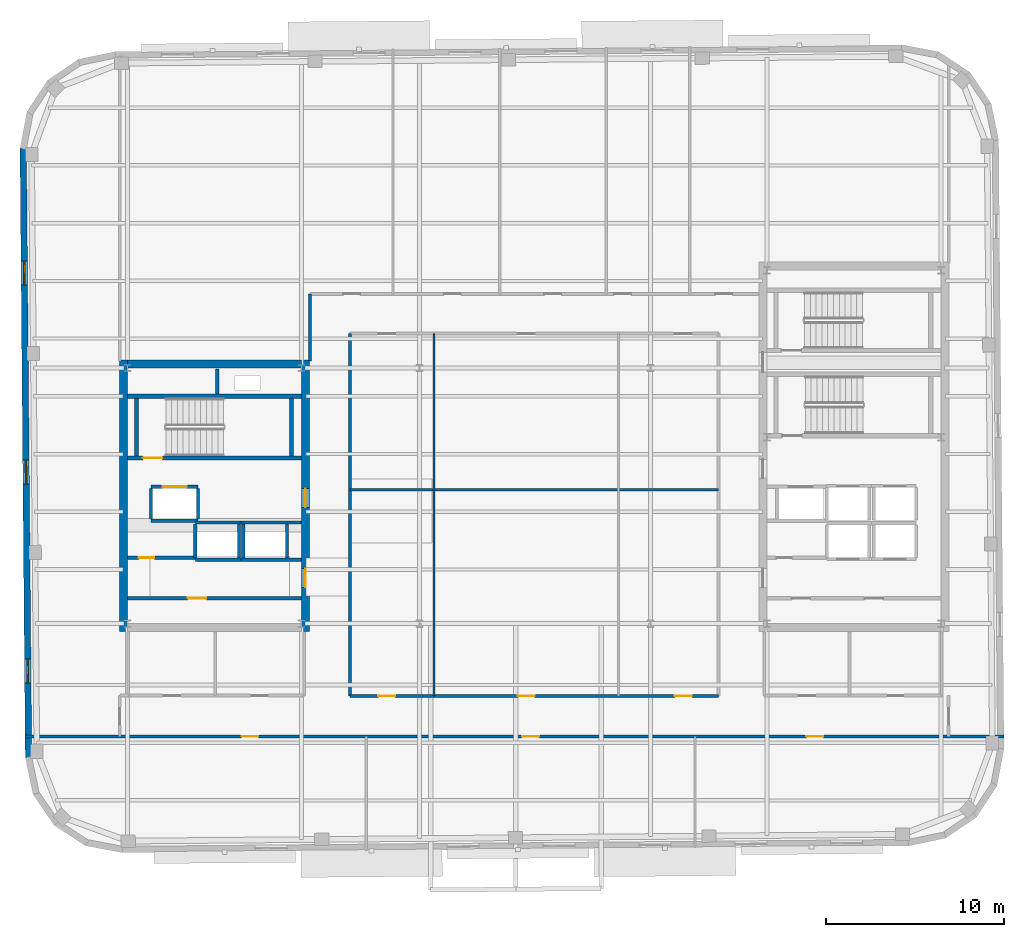
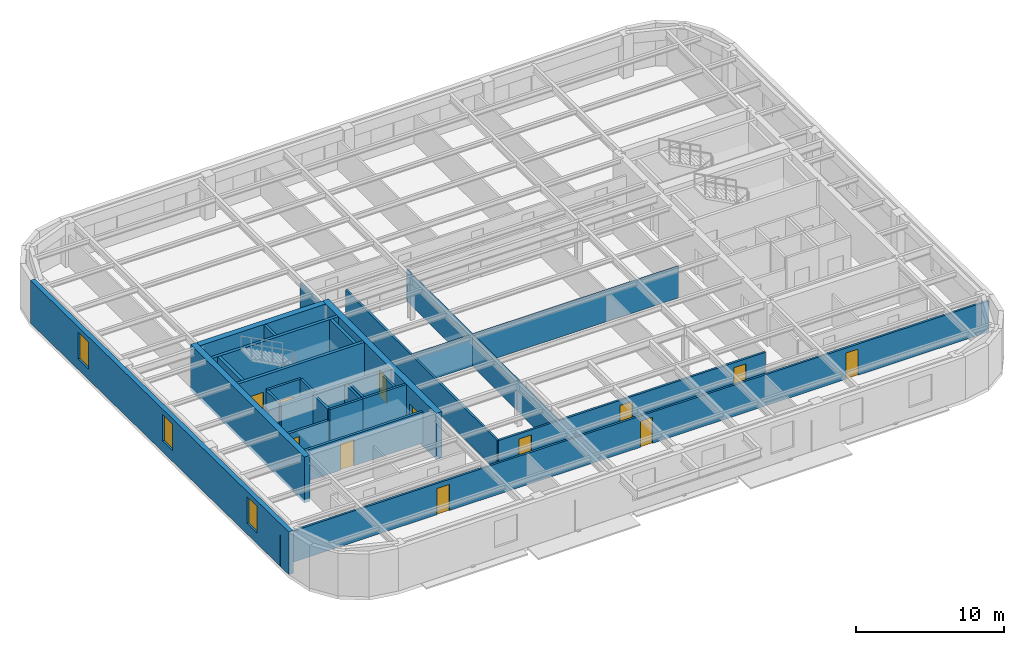
# One storey, part 7 of 14: 29 walls, 12 doors, 3 windows, 15 openings.
"""IFC4 building model written with IfcOpenShell, lengths in metres."""

from ifc_helpers import new_model, si_unit, direction, frame, frame_2d, origin, place, context, subcontext, project, spatial, rectangle, extrude, material, layer, layer_set, type_object, element, fill, save


model = new_model("IFC4")

# Units and contexts
model_context = context("Model", 3, precision=1e-05, world=origin(), true_north=direction((0.0, 1.0)))
body_context = subcontext(model_context, "Body", "Model", "MODEL_VIEW")
ifc_project = project(units=[si_unit("LENGTHUNIT", "METRE"), si_unit("AREAUNIT", "SQUARE_METRE"), si_unit("VOLUMEUNIT", "CUBIC_METRE"), si_unit("PLANEANGLEUNIT", "RADIAN"), si_unit("MASSUNIT", "GRAM", prefix="KILO")], contexts=[model_context])

# Site, building, storey
site_placement = place(None, origin())
site = spatial("IfcSite", under=ifc_project, at=site_placement, CompositionType="ELEMENT")
building_placement = place(site_placement, origin())
building = spatial("IfcBuilding", under=site, at=building_placement, Name="Kolvaren Arena Tower", CompositionType="ELEMENT")
storey_placement = place(building_placement, frame((0.0, 0.0, 308.64990234375)))
storey = spatial("IfcBuildingStorey", under=building, at=storey_placement, Name="L76", CompositionType="ELEMENT", Elevation=308.64990234375)

# Wall, openings, doors
ifc_material_1 = material(Name="Gypsum board acoustic assembly", Category="gypsum")
ifc_layer_1 = layer(ifc_material_1, 0.159912109375)
ifc_layer_set_1 = layer_set([ifc_layer_1], Name="Gypsum board acoustic assembly")
wall_type_1 = type_object("IfcWallType", Name="CORR-160", PredefinedType="PARTITIONING", material=ifc_layer_set_1)
wall_1_placement = place(storey_placement, frame((8.790283203125, 13.10009765625, 0.0), z_axis=(0.0, 0.0, 1.0), x_axis=(1.0, 0.0, 0.0)))
wall_1 = element("IfcWall", 1, at=wall_1_placement, inside=storey, type_object=wall_type_1, Name="Interior Partition Wall (L76)", PredefinedType="PARTITIONING", context=body_context, shape_type="SweptSolid", body=[
    extrude(rectangle(XDim=55.10205078125, YDim=0.159912109375, at=frame_2d((27.551025390625, 0.0))), origin(), (0.0, 0.0, 1.0), 2.570068359375),
])
opening_1_placement = place(wall_1_placement, frame((12.184814453125, 0.0, 0.0)))
opening_1 = element("IfcOpeningElement", 2, at=opening_1_placement, cuts=wall_1, Name="Opening D05", PredefinedType="OPENING", context=body_context, shape_type="SweptSolid", body=[
    extrude(rectangle(XDim=0.949951171875, YDim=2.14990234375, at=frame_2d((0.47509765625, 1.074951171875))), frame((0.0, 0.08984375, 0.0), z_axis=(0.0, -1.0, 0.0), x_axis=(1.0, 0.0, 0.0)), (0.0, 0.0, 1.0), 0.179931640625),
])
opening_2_placement = place(wall_1_placement, frame((27.984619140625, 0.0, 0.0)))
opening_2 = element("IfcOpeningElement", 3, at=opening_2_placement, cuts=wall_1, Name="Opening D05", PredefinedType="OPENING", context=body_context, shape_type="SweptSolid", body=[
    extrude(rectangle(XDim=0.949951171875, YDim=2.14990234375, at=frame_2d((0.47509765625, 1.074951171875))), frame((0.0, 0.08984375, 0.0), z_axis=(0.0, -1.0, 0.0), x_axis=(1.0, 0.0, 0.0)), (0.0, 0.0, 1.0), 0.179931640625),
])
opening_3_placement = place(wall_1_placement, frame((43.984619140625, 0.0, 0.0)))
opening_3 = element("IfcOpeningElement", 4, at=opening_3_placement, cuts=wall_1, Name="Opening D05", PredefinedType="OPENING", context=body_context, shape_type="SweptSolid", body=[
    extrude(rectangle(XDim=0.949951171875, YDim=2.14990234375, at=frame_2d((0.47509765625, 1.074951171875))), frame((0.0, 0.08984375, 0.0), z_axis=(0.0, -1.0, 0.0), x_axis=(1.0, 0.0, 0.0)), (0.0, 0.0, 1.0), 0.179931640625),
])
ifc_material_2 = material(Name="Solid-core oak acoustic office door", Category="wood")
door_type_1 = type_object("IfcDoorType", Name="DOOR-OF-095", OperationType="NOTDEFINED", PredefinedType="DOOR", material=ifc_material_2)
door_1_placement = place(opening_1_placement, origin())
door_1 = element("IfcDoor", 5, at=door_1_placement, inside=storey, type_object=door_type_1, Name="Tenant Reception Area Door (L76)", OperationType="SINGLE_SWING_RIGHT", OverallHeight=2.14990234375, OverallWidth=0.949951171875, PredefinedType="DOOR", context=body_context, shape_type="SweptSolid", body=[
    extrude(rectangle(XDim=0.949951171875, YDim=2.14990234375, at=frame_2d((0.47509765625, 1.074951171875))), frame((0.0, 0.02490234375, 0.0), z_axis=(0.0, -1.0, 0.0), x_axis=(1.0, 0.0, 0.0)), (0.0, 0.0, 1.0), 0.050048828125),
])
fill(opening_1, door_1)
door_2_placement = place(opening_2_placement, origin())
door_2 = element("IfcDoor", 6, at=door_2_placement, inside=storey, type_object=door_type_1, Name="Executive Office Door (L76)", OperationType="SINGLE_SWING_LEFT", OverallHeight=2.14990234375, OverallWidth=0.949951171875, PredefinedType="DOOR", context=body_context, shape_type="SweptSolid", body=[
    extrude(rectangle(XDim=0.949951171875, YDim=2.14990234375, at=frame_2d((0.47509765625, 1.074951171875))), frame((0.0, 0.02490234375, 0.0), z_axis=(0.0, -1.0, 0.0), x_axis=(1.0, 0.0, 0.0)), (0.0, 0.0, 1.0), 0.050048828125),
])
fill(opening_2, door_2)
door_3_placement = place(opening_3_placement, origin())
door_3 = element("IfcDoor", 7, at=door_3_placement, inside=storey, type_object=door_type_1, Name="Open Plan Office Door (L76)", OperationType="SINGLE_SWING_RIGHT", OverallHeight=2.14990234375, OverallWidth=0.949951171875, PredefinedType="DOOR", context=body_context, shape_type="SweptSolid", body=[
    extrude(rectangle(XDim=0.949951171875, YDim=2.14990234375, at=frame_2d((0.47509765625, 1.074951171875))), frame((0.0, 0.02490234375, 0.0), z_axis=(0.0, -1.0, 0.0), x_axis=(1.0, 0.0, 0.0)), (0.0, 0.0, 1.0), 0.050048828125),
])
fill(opening_3, door_3)

# Wall
wall_2_placement = place(storey_placement, frame((24.820068359375, 34.25, 0.0), z_axis=(0.0, 0.0, 1.0), x_axis=(0.0, 1.0, 0.0)))
element("IfcWall", 8, at=wall_2_placement, inside=storey, type_object=wall_type_1, Name="Interior Partition Wall (L76)", PredefinedType="PARTITIONING", context=body_context, shape_type="SweptSolid", body=[
    extrude(rectangle(XDim=3.77001953125, YDim=0.159912109375, at=frame_2d((1.885009765625, 0.0))), origin(), (0.0, 0.0, 1.0), 2.570068359375),
])

# Wall, openings, doors
wall_3_placement = place(storey_placement, frame((27.080078125, 15.3798828125, 0.0), z_axis=(0.0, 0.0, 1.0), x_axis=(1.0, 0.0, 0.0)))
wall_3 = element("IfcWall", 9, at=wall_3_placement, inside=storey, type_object=wall_type_1, Name="Interior Partition Wall (L76)", PredefinedType="PARTITIONING", context=body_context, shape_type="SweptSolid", body=[
    extrude(rectangle(XDim=20.739990234375, YDim=0.159912109375, at=frame_2d((10.3701171875, 0.0))), origin(), (0.0, 0.0, 1.0), 2.570068359375),
])
opening_4_placement = place(wall_3_placement, frame((1.594970703125, 0.0, 0.0)))
opening_4 = element("IfcOpeningElement", 10, at=opening_4_placement, cuts=wall_3, Name="Opening D05", PredefinedType="OPENING", context=body_context, shape_type="SweptSolid", body=[
    extrude(rectangle(XDim=0.949951171875, YDim=2.14990234375, at=frame_2d((0.47509765625, 1.074951171875))), frame((0.0, 0.08984375, 0.0), z_axis=(0.0, -1.0, 0.0), x_axis=(1.0, 0.0, 0.0)), (0.0, 0.0, 1.0), 0.179931640625),
])
opening_5_placement = place(wall_3_placement, frame((9.445068359375, 0.0, 0.0)))
opening_5 = element("IfcOpeningElement", 11, at=opening_5_placement, cuts=wall_3, Name="Opening D05", PredefinedType="OPENING", context=body_context, shape_type="SweptSolid", body=[
    extrude(rectangle(XDim=0.949951171875, YDim=2.14990234375, at=frame_2d((0.47509765625, 1.074951171875))), frame((0.0, 0.08984375, 0.0), z_axis=(0.0, -1.0, 0.0), x_axis=(1.0, 0.0, 0.0)), (0.0, 0.0, 1.0), 0.179931640625),
])
opening_6_placement = place(wall_3_placement, frame((18.294921875, 0.0, 0.0)))
opening_6 = element("IfcOpeningElement", 12, at=opening_6_placement, cuts=wall_3, Name="Opening D05", PredefinedType="OPENING", context=body_context, shape_type="SweptSolid", body=[
    extrude(rectangle(XDim=0.949951171875, YDim=2.14990234375, at=frame_2d((0.47509765625, 1.074951171875))), frame((0.0, 0.08984375, 0.0), z_axis=(0.0, -1.0, 0.0), x_axis=(1.0, 0.0, 0.0)), (0.0, 0.0, 1.0), 0.179931640625),
])
door_4_placement = place(opening_4_placement, origin())
door_4 = element("IfcDoor", 13, at=door_4_placement, inside=storey, type_object=door_type_1, Name="Copy and Print Room Door (L76)", OperationType="SINGLE_SWING_LEFT", OverallHeight=2.14990234375, OverallWidth=0.949951171875, PredefinedType="DOOR", context=body_context, shape_type="SweptSolid", body=[
    extrude(rectangle(XDim=0.949951171875, YDim=2.14990234375, at=frame_2d((0.47509765625, 1.074951171875))), frame((0.0, 0.02490234375, 0.0), z_axis=(0.0, -1.0, 0.0), x_axis=(1.0, 0.0, 0.0)), (0.0, 0.0, 1.0), 0.050048828125),
])
fill(opening_4, door_4)
door_5_placement = place(opening_5_placement, origin())
door_5 = element("IfcDoor", 14, at=door_5_placement, inside=storey, type_object=door_type_1, Name="Breakout Pantry and Kitchen Door (L76)", OperationType="SINGLE_SWING_LEFT", OverallHeight=2.14990234375, OverallWidth=0.949951171875, PredefinedType="DOOR", context=body_context, shape_type="SweptSolid", body=[
    extrude(rectangle(XDim=0.949951171875, YDim=2.14990234375, at=frame_2d((0.47509765625, 1.074951171875))), frame((0.0, 0.02490234375, 0.0), z_axis=(0.0, -1.0, 0.0), x_axis=(1.0, 0.0, 0.0)), (0.0, 0.0, 1.0), 0.050048828125),
])
fill(opening_5, door_5)
door_6_placement = place(opening_6_placement, origin())
door_6 = element("IfcDoor", 15, at=door_6_placement, inside=storey, type_object=door_type_1, Name="Executive Office Door (L76)", OperationType="SINGLE_SWING_LEFT", OverallHeight=2.14990234375, OverallWidth=0.949951171875, PredefinedType="DOOR", context=body_context, shape_type="SweptSolid", body=[
    extrude(rectangle(XDim=0.949951171875, YDim=2.14990234375, at=frame_2d((0.47509765625, 1.074951171875))), frame((0.0, 0.02490234375, 0.0), z_axis=(0.0, -1.0, 0.0), x_axis=(1.0, 0.0, 0.0)), (0.0, 0.0, 1.0), 0.050048828125),
])
fill(opening_6, door_6)

# Walls
wall_4_placement = place(storey_placement, frame((27.080078125, 15.3798828125, 0.0), z_axis=(0.0, 0.0, 1.0), x_axis=(0.0, 1.0, 0.0)))
element("IfcWall", 16, at=wall_4_placement, inside=storey, type_object=wall_type_1, Name="Interior Partition Wall (L76)", PredefinedType="PARTITIONING", context=body_context, shape_type="SweptSolid", body=[
    extrude(rectangle(XDim=20.400146484375, YDim=0.159912109375, at=frame_2d((10.2001953125, 0.0))), origin(), (0.0, 0.0, 1.0), 2.570068359375),
])
ifc_material_3 = material(Name="Concrete 55 MPa", Category="concrete")
ifc_layer_2 = layer(ifc_material_3, 0.449951171875)
ifc_layer_set_2 = layer_set([ifc_layer_2], Name="Concrete 55 MPa")
wall_type_2 = type_object("IfcWallType", Name="CWALL-450", PredefinedType="SHEAR", material=ifc_layer_set_2)
wall_5_placement = place(storey_placement, frame((14.324951171875, 19.0, -0.27001953125), z_axis=(0.0, 0.0, 1.0), x_axis=(0.0, 1.0, 0.0)))
element("IfcWall", 17, at=wall_5_placement, inside=storey, type_object=wall_type_2, Name="Core Shear Wall WC-WEST (L76)", PredefinedType="SHEAR", context=body_context, shape_type="SweptSolid", body=[
    extrude(rectangle(XDim=15.300048828125, YDim=0.449951171875, at=frame_2d((7.64990234375, 0.0))), origin(), (0.0, 0.0, 1.0), 3.780029296875),
])

# Wall, openings, doors
wall_6_placement = place(storey_placement, frame((24.574951171875, 19.0, -0.27001953125), z_axis=(0.0, 0.0, 1.0), x_axis=(0.0, 1.0, 0.0)))
wall_6 = element("IfcWall", 18, at=wall_6_placement, inside=storey, type_object=wall_type_2, Name="Core Shear Wall WC-EAST (L76)", PredefinedType="SHEAR", context=body_context, shape_type="SweptSolid", body=[
    extrude(rectangle(XDim=15.300048828125, YDim=0.449951171875, at=frame_2d((7.64990234375, 0.0))), origin(), (0.0, 0.0, 1.0), 3.780029296875),
])
opening_7_placement = place(wall_6_placement, frame((2.5, 0.0, 0.27001953125)))
opening_7 = element("IfcOpeningElement", 19, at=opening_7_placement, cuts=wall_6, Name="Opening D04", PredefinedType="OPENING", context=body_context, shape_type="SweptSolid", body=[
    extrude(rectangle(XDim=1.050048828125, YDim=2.14990234375, at=frame_2d((0.52490234375, 1.074951171875))), frame((0.0, 0.23486328125, 0.0), z_axis=(0.0, -1.0, 0.0), x_axis=(1.0, 0.0, 0.0)), (0.0, 0.0, 1.0), 0.469970703125),
])
opening_8_placement = place(wall_6_placement, frame((7.0, 0.0, 0.27001953125)))
opening_8 = element("IfcOpeningElement", 20, at=opening_8_placement, cuts=wall_6, Name="Opening D04", PredefinedType="OPENING", context=body_context, shape_type="SweptSolid", body=[
    extrude(rectangle(XDim=1.050048828125, YDim=2.14990234375, at=frame_2d((0.52490234375, 1.074951171875))), frame((0.0, 0.23486328125, 0.0), z_axis=(0.0, -1.0, 0.0), x_axis=(1.0, 0.0, 0.0)), (0.0, 0.0, 1.0), 0.469970703125),
])
ifc_material_4 = material(Name="Fire-rated steel lobby door", Category="steel")
door_type_2 = type_object("IfcDoorType", Name="DOOR-FF-105", OperationType="NOTDEFINED", PredefinedType="DOOR", material=ifc_material_4)
door_7_placement = place(opening_7_placement, origin())
door_7 = element("IfcDoor", 21, at=door_7_placement, inside=storey, type_object=door_type_2, Name="West Lift Lobby Fire Door (L76)", OperationType="SINGLE_SWING_LEFT", OverallHeight=2.14990234375, OverallWidth=1.050048828125, PredefinedType="DOOR", context=body_context, shape_type="SweptSolid", body=[
    extrude(rectangle(XDim=1.050048828125, YDim=2.14990234375, at=frame_2d((0.52490234375, 1.074951171875))), frame((0.0, 0.02490234375, 0.0), z_axis=(0.0, -1.0, 0.0), x_axis=(1.0, 0.0, 0.0)), (0.0, 0.0, 1.0), 0.050048828125),
])
fill(opening_7, door_7)
door_8_placement = place(opening_8_placement, origin())
door_8 = element("IfcDoor", 22, at=door_8_placement, inside=storey, type_object=door_type_2, Name="West Firefighter Vestibule Door (L76)", OperationType="SINGLE_SWING_RIGHT", OverallHeight=2.14990234375, OverallWidth=1.050048828125, PredefinedType="DOOR", context=body_context, shape_type="SweptSolid", body=[
    extrude(rectangle(XDim=1.050048828125, YDim=2.14990234375, at=frame_2d((0.52490234375, 1.074951171875))), frame((0.0, 0.02490234375, 0.0), z_axis=(0.0, -1.0, 0.0), x_axis=(1.0, 0.0, 0.0)), (0.0, 0.0, 1.0), 0.050048828125),
])
fill(opening_8, door_8)

# Wall
wall_7_placement = place(storey_placement, frame((14.550048828125, 34.074951171875, -0.27001953125), z_axis=(0.0, 0.0, 1.0), x_axis=(1.0, 0.0, 0.0)))
element("IfcWall", 23, at=wall_7_placement, inside=storey, type_object=wall_type_2, Name="Core Shear Wall WC-NORTH (L76)", PredefinedType="SHEAR", context=body_context, shape_type="SweptSolid", body=[
    extrude(rectangle(XDim=9.800048828125, YDim=0.449951171875, at=frame_2d((4.89990234375, 0.0))), origin(), (0.0, 0.0, 1.0), 3.780029296875),
])

# Wall, openings, windows
ifc_material_5 = material(Name="Precast concrete C50/60", Category="concrete")
ifc_layer_3 = layer(ifc_material_5, 0.360107421875)
ifc_layer_set_3 = layer_set([ifc_layer_3], Name="Precast concrete C50/60")
wall_type_3 = type_object("IfcWallType", Name="EXT-PIER2", PredefinedType="SOLIDWALL", material=ifc_layer_set_3)
wall_8_placement = place(storey_placement, frame((8.980712890625, 11.911865234375, 0.0), z_axis=(0.0, 0.0, 1.0), x_axis=(-0.008726453825, 0.999961923777, 0.0)))
wall_8 = element("IfcWall", 24, at=wall_8_placement, inside=storey, type_object=wall_type_3, Name="Exterior Precast Masonry-Frame Wall (L76)", PredefinedType="SOLIDWALL", context=body_context, shape_type="SweptSolid", body=[
    extrude(rectangle(XDim=34.2998046875, YDim=0.360107421875, at=frame_2d((17.14990234375, 0.0))), origin(), (0.0, 0.0, 1.0), 3.510009765625),
])
opening_9_placement = place(wall_8_placement, frame((4.199951171875, 0.0, 0.8798828125)))
opening_9 = element("IfcOpeningElement", 25, at=opening_9_placement, cuts=wall_8, Name="Opening W04", PredefinedType="OPENING", context=body_context, shape_type="SweptSolid", body=[
    extrude(rectangle(XDim=1.35009765625, YDim=2.199951171875, at=frame_2d((0.675048828125, 1.10009765625))), frame((0.0, 0.18994140625, 0.0), z_axis=(0.0, -1.0, 0.0), x_axis=(1.0, 0.0, 0.0)), (0.0, 0.0, 1.0), 0.380126953125),
])
opening_10_placement = place(wall_8_placement, frame((15.39990234375, 0.0, 0.8798828125)))
opening_10 = element("IfcOpeningElement", 26, at=opening_10_placement, cuts=wall_8, Name="Opening W04", PredefinedType="OPENING", context=body_context, shape_type="SweptSolid", body=[
    extrude(rectangle(XDim=1.35009765625, YDim=2.199951171875, at=frame_2d((0.675048828125, 1.10009765625))), frame((0.0, 0.18994140625, 0.0), z_axis=(0.0, -1.0, 0.0), x_axis=(1.0, 0.0, 0.0)), (0.0, 0.0, 1.0), 0.380126953125),
])
opening_11_placement = place(wall_8_placement, frame((26.60009765625, 0.0, 0.8798828125)))
opening_11 = element("IfcOpeningElement", 27, at=opening_11_placement, cuts=wall_8, Name="Opening W04", PredefinedType="OPENING", context=body_context, shape_type="SweptSolid", body=[
    extrude(rectangle(XDim=1.35009765625, YDim=2.199951171875, at=frame_2d((0.675048828125, 1.10009765625))), frame((0.0, 0.18994140625, 0.0), z_axis=(0.0, -1.0, 0.0), x_axis=(1.0, 0.0, 0.0)), (0.0, 0.0, 1.0), 0.380126953125),
])
ifc_material_6 = material(Name="Triple-glazed curved-facet corner window", Category="glass")
window_type = type_object("IfcWindowType", Name="WIN-CRN-A", PartitioningType="SINGLE_PANEL", PredefinedType="WINDOW", material=ifc_material_6)
window_1_placement = place(opening_9_placement, origin())
window_1 = element("IfcWindow", 28, at=window_1_placement, inside=storey, type_object=window_type, Name="End-Wall Punched Window (L76)", OverallHeight=2.199951171875, OverallWidth=1.35009765625, PartitioningType="SINGLE_PANEL", PredefinedType="WINDOW", context=body_context, shape_type="SweptSolid", body=[
    extrude(rectangle(XDim=1.35009765625, YDim=2.199951171875, at=frame_2d((0.675048828125, 1.10009765625))), frame((0.0, 0.030029296875, 0.0), z_axis=(0.0, -1.0, 0.0), x_axis=(1.0, 0.0, 0.0)), (0.0, 0.0, 1.0), 0.06005859375),
])
fill(opening_9, window_1)
window_2_placement = place(opening_10_placement, origin())
window_2 = element("IfcWindow", 29, at=window_2_placement, inside=storey, type_object=window_type, Name="End-Wall Punched Window (L76)", OverallHeight=2.199951171875, OverallWidth=1.35009765625, PartitioningType="SINGLE_PANEL", PredefinedType="WINDOW", context=body_context, shape_type="SweptSolid", body=[
    extrude(rectangle(XDim=1.35009765625, YDim=2.199951171875, at=frame_2d((0.675048828125, 1.10009765625))), frame((0.0, 0.030029296875, 0.0), z_axis=(0.0, -1.0, 0.0), x_axis=(1.0, 0.0, 0.0)), (0.0, 0.0, 1.0), 0.06005859375),
])
fill(opening_10, window_2)
window_3_placement = place(opening_11_placement, origin())
window_3 = element("IfcWindow", 30, at=window_3_placement, inside=storey, type_object=window_type, Name="End-Wall Punched Window (L76)", OverallHeight=2.199951171875, OverallWidth=1.35009765625, PartitioningType="SINGLE_PANEL", PredefinedType="WINDOW", context=body_context, shape_type="SweptSolid", body=[
    extrude(rectangle(XDim=1.35009765625, YDim=2.199951171875, at=frame_2d((0.675048828125, 1.10009765625))), frame((0.0, 0.030029296875, 0.0), z_axis=(0.0, -1.0, 0.0), x_axis=(1.0, 0.0, 0.0)), (0.0, 0.0, 1.0), 0.06005859375),
])
fill(opening_11, window_3)

# Wall, opening, door
ifc_material_7 = material(Name="Concrete 40 MPa", Category="concrete")
ifc_layer_4 = layer(ifc_material_7, 0.199951171875)
ifc_layer_set_4 = layer_set([ifc_layer_4], Name="Concrete 40 MPa")
wall_type_4 = type_object("IfcWallType", Name="LOBBY-200", PredefinedType="SOLIDWALL", material=ifc_layer_set_4)
wall_9_placement = place(storey_placement, frame((14.550048828125, 20.8798828125, 0.0), z_axis=(0.0, 0.0, 1.0), x_axis=(1.0, 0.0, 0.0)))
wall_9 = element("IfcWall", 31, at=wall_9_placement, inside=storey, type_object=wall_type_4, Name="Core Shaft Wall (L76)", PredefinedType="SOLIDWALL", context=body_context, shape_type="SweptSolid", body=[
    extrude(rectangle(XDim=9.800048828125, YDim=0.199951171875, at=frame_2d((4.89990234375, 0.0))), origin(), (0.0, 0.0, 1.0), 2.570068359375),
])
opening_12_placement = place(wall_9_placement, frame((3.39990234375, 0.0, 0.0)))
opening_12 = element("IfcOpeningElement", 32, at=opening_12_placement, cuts=wall_9, Name="Opening D04", PredefinedType="OPENING", context=body_context, shape_type="SweptSolid", body=[
    extrude(rectangle(XDim=1.050048828125, YDim=2.14990234375, at=frame_2d((0.52490234375, 1.074951171875))), frame((0.0, 0.10986328125, 0.0), z_axis=(0.0, -1.0, 0.0), x_axis=(1.0, 0.0, 0.0)), (0.0, 0.0, 1.0), 0.219970703125),
])
door_9_placement = place(opening_12_placement, origin())
door_9 = element("IfcDoor", 33, at=door_9_placement, inside=storey, type_object=door_type_2, Name="West IT Room Fire Door (L76)", OperationType="SINGLE_SWING_LEFT", OverallHeight=2.14990234375, OverallWidth=1.050048828125, PredefinedType="DOOR", context=body_context, shape_type="SweptSolid", body=[
    extrude(rectangle(XDim=1.050048828125, YDim=2.14990234375, at=frame_2d((0.52490234375, 1.074951171875))), frame((0.0, 0.02490234375, 0.0), z_axis=(0.0, -1.0, 0.0), x_axis=(1.0, 0.0, 0.0)), (0.0, 0.0, 1.0), 0.050048828125),
])
fill(opening_12, door_9)

wall_10_placement = place(storey_placement, frame((14.550048828125, 23.159912109375, 0.0), z_axis=(0.0, 0.0, 1.0), x_axis=(1.0, 0.0, 0.0)))
wall_10 = element("IfcWall", 34, at=wall_10_placement, inside=storey, type_object=wall_type_4, Name="Core Shaft Wall (L76)", PredefinedType="SOLIDWALL", context=body_context, shape_type="SweptSolid", body=[
    extrude(rectangle(XDim=3.820068359375, YDim=0.199951171875, at=frame_2d((1.91015625, 0.0))), origin(), (0.0, 0.0, 1.0), 2.570068359375),
])
opening_13_placement = place(wall_10_placement, frame((0.64990234375, 0.0, 0.0)))
opening_13 = element("IfcOpeningElement", 35, at=opening_13_placement, cuts=wall_10, Name="Opening D09", PredefinedType="OPENING", context=body_context, shape_type="SweptSolid", body=[
    extrude(rectangle(XDim=0.860107421875, YDim=2.050048828125, at=frame_2d((0.43017578125, 1.02490234375))), frame((0.0, 0.10986328125, 0.0), z_axis=(0.0, -1.0, 0.0), x_axis=(1.0, 0.0, 0.0)), (0.0, 0.0, 1.0), 0.219970703125),
])
ifc_material_8 = material(Name="Fire-rated steel riser access door", Category="steel")
door_type_3 = type_object("IfcDoorType", Name="DOOR-RS-086", OperationType="NOTDEFINED", PredefinedType="DOOR", material=ifc_material_8)
door_10_placement = place(opening_13_placement, origin())
door_10 = element("IfcDoor", 36, at=door_10_placement, inside=storey, type_object=door_type_3, Name="West Document Archive Riser Door (L76)", OperationType="SINGLE_SWING_RIGHT", OverallHeight=2.050048828125, OverallWidth=0.860107421875, PredefinedType="DOOR", context=body_context, shape_type="SweptSolid", body=[
    extrude(rectangle(XDim=0.860107421875, YDim=2.050048828125, at=frame_2d((0.43017578125, 1.02490234375))), frame((0.0, 0.02490234375, 0.0), z_axis=(0.0, -1.0, 0.0), x_axis=(1.0, 0.0, 0.0)), (0.0, 0.0, 1.0), 0.050048828125),
])
fill(opening_13, door_10)

# Walls
ifc_material_9 = material(Name="Gypsum board partition assembly", Category="gypsum")
ifc_layer_5 = layer(ifc_material_9, 0.114990234375)
ifc_layer_set_5 = layer_set([ifc_layer_5], Name="Gypsum board partition assembly")
wall_type_5 = type_object("IfcWallType", Name="PART-115", PredefinedType="PARTITIONING", material=ifc_layer_set_5)
wall_11_placement = place(storey_placement, frame((31.800048828125, 15.3798828125, 0.0), z_axis=(0.0, 0.0, 1.0), x_axis=(0.0, 1.0, 0.0)))
element("IfcWall", 37, at=wall_11_placement, inside=storey, type_object=wall_type_5, Name="Interior Partition Wall (L76)", PredefinedType="PARTITIONING", context=body_context, shape_type="SweptSolid", body=[
    extrude(rectangle(XDim=20.400146484375, YDim=0.114990234375, at=frame_2d((10.2001953125, 0.0))), origin(), (0.0, 0.0, 1.0), 2.570068359375),
])
ifc_layer_6 = layer(ifc_material_9, 0.135009765625)
ifc_layer_set_6 = layer_set([ifc_layer_6], Name="Gypsum board partition assembly")
wall_type_6 = type_object("IfcWallType", Name="PART-135", PredefinedType="PARTITIONING", material=ifc_layer_set_6)
wall_12_placement = place(storey_placement, frame((27.080078125, 27.0, 0.0), z_axis=(0.0, 0.0, 1.0), x_axis=(1.0, 0.0, 0.0)))
element("IfcWall", 38, at=wall_12_placement, inside=storey, type_object=wall_type_6, Name="Interior Partition Wall (L76)", PredefinedType="PARTITIONING", context=body_context, shape_type="SweptSolid", body=[
    extrude(rectangle(XDim=20.739990234375, YDim=0.135009765625, at=frame_2d((10.3701171875, 0.0))), origin(), (0.0, 0.0, 1.0), 2.570068359375),
])

# Wall, opening, door
ifc_material_10 = material(Name="Concrete 45 MPa", Category="concrete")
ifc_layer_7 = layer(ifc_material_10, 0.25)
ifc_layer_set_7 = layer_set([ifc_layer_7], Name="Concrete 45 MPa")
wall_type_7 = type_object("IfcWallType", Name="SHAFT-250", PredefinedType="SOLIDWALL", material=ifc_layer_set_7)
wall_13_placement = place(storey_placement, frame((24.35009765625, 28.780029296875, 0.0), z_axis=(0.0, 0.0, 1.0), x_axis=(-1.0, 0.0, 0.0)))
wall_13 = element("IfcWall", 39, at=wall_13_placement, inside=storey, type_object=wall_type_7, Name="Core Shaft Wall (L76)", PredefinedType="SOLIDWALL", context=body_context, shape_type="SweptSolid", body=[
    extrude(rectangle(XDim=9.800048828125, YDim=0.239990234375, at=frame_2d((4.89990234375, 0.0))), origin(), (0.0, 0.0, 1.0), 3.510009765625),
])
opening_14_placement = place(wall_13_placement, frame((7.830078125, 0.0, 0.0)))
opening_14 = element("IfcOpeningElement", 40, at=opening_14_placement, cuts=wall_13, Name="Opening D03", PredefinedType="OPENING", context=body_context, shape_type="SweptSolid", body=[
    extrude(rectangle(XDim=1.10009765625, YDim=2.14990234375, at=frame_2d((0.550048828125, 1.074951171875))), frame((0.0, 0.1298828125, 0.0), z_axis=(0.0, -1.0, 0.0), x_axis=(1.0, 0.0, 0.0)), (0.0, 0.0, 1.0), 0.260009765625),
])
ifc_material_11 = material(Name="Fire-rated steel exit stair door", Category="steel")
door_type_4 = type_object("IfcDoorType", Name="DOOR-ST-110", OperationType="NOTDEFINED", PredefinedType="DOOR", material=ifc_material_11)
door_11_placement = place(opening_14_placement, origin())
door_11 = element("IfcDoor", 41, at=door_11_placement, inside=storey, type_object=door_type_4, Name="Stair ST-W1 Fire Door (L76)", OperationType="SINGLE_SWING_RIGHT", OverallHeight=2.14990234375, OverallWidth=1.10009765625, PredefinedType="DOOR", context=body_context, shape_type="SweptSolid", body=[
    extrude(rectangle(XDim=1.10009765625, YDim=2.14990234375, at=frame_2d((0.550048828125, 1.074951171875))), frame((0.0, 0.02490234375, 0.0), z_axis=(0.0, -1.0, 0.0), x_axis=(1.0, 0.0, 0.0)), (0.0, 0.0, 1.0), 0.050048828125),
])
fill(opening_14, door_11)

# Walls
wall_14_placement = place(storey_placement, frame((14.550048828125, 32.25, 0.0), z_axis=(0.0, 0.0, 1.0), x_axis=(1.0, 0.0, 0.0)))
element("IfcWall", 42, at=wall_14_placement, inside=storey, type_object=wall_type_7, Name="Core Shaft Wall (L76)", PredefinedType="SOLIDWALL", context=body_context, shape_type="SweptSolid", body=[
    extrude(rectangle(XDim=9.800048828125, YDim=0.239990234375, at=frame_2d((4.89990234375, 0.0))), origin(), (0.0, 0.0, 1.0), 3.510009765625),
])
for number, where, z_axis, x_axis, name in (
    (43, (15.06005859375, 28.89990234375, 0.0), (0.0, 0.0, 1.0), (0.0, 1.0, 0.0), "Core Shaft Wall (L76)"),
    (44, (23.780029296875, 28.89990234375, 0.0), (0.0, 0.0, 1.0), (0.0, 1.0, 0.0), "Core Shaft Wall (L76)"),
):
    element("IfcWall", number, at=place(storey_placement, frame(where, z_axis=z_axis, x_axis=x_axis)), inside=storey, type_object=wall_type_7, Name=name, PredefinedType="SOLIDWALL", context=body_context, shape_type="SweptSolid", body=[
        extrude(rectangle(XDim=3.22998046875, YDim=0.239990234375, at=frame_2d((1.614990234375, 0.0))), origin(), (0.0, 0.0, 1.0), 3.510009765625),
    ])
wall_15_placement = place(storey_placement, frame((19.60009765625, 32.3701171875, 0.0), z_axis=(0.0, 0.0, 1.0), x_axis=(0.0, 1.0, 0.0)))
element("IfcWall", 45, at=wall_15_placement, inside=storey, type_object=wall_type_7, Name="Core Shaft Wall (L76)", PredefinedType="SOLIDWALL", context=body_context, shape_type="SweptSolid", body=[
    extrude(rectangle(XDim=1.429931640625, YDim=0.199951171875, at=frame_2d((0.71484375, 0.0))), origin(), (0.0, 0.0, 1.0), 3.510009765625),
])
for number, where, z_axis, x_axis, name in (
    (46, (18.3701171875, 25.155029296875, 0.0), (0.0, 0.0, 1.0), (1.0, 0.0, 0.0), "Core Shaft Wall (L76)"),
    (47, (18.3701171875, 23.044921875, 0.0), (0.0, 0.0, 1.0), (1.0, 0.0, 0.0), "Core Shaft Wall (L76)"),
):
    element("IfcWall", number, at=place(storey_placement, frame(where, z_axis=z_axis, x_axis=x_axis)), inside=storey, type_object=wall_type_7, Name=name, PredefinedType="SOLIDWALL", context=body_context, shape_type="SweptSolid", body=[
        extrude(rectangle(XDim=2.579833984375, YDim=0.179931640625, at=frame_2d((1.2900390625, 0.0))), origin(), (0.0, 0.0, 1.0), 3.510009765625),
    ])
for number, where, z_axis, x_axis, name in (
    (48, (18.3701171875, 23.135009765625, 0.0), (0.0, 0.0, 1.0), (0.0, 1.0, 0.0), "Core Shaft Wall (L76)"),
    (49, (20.830078125, 23.135009765625, 0.0), (0.0, 0.0, 1.0), (0.0, 1.0, 0.0), "Core Shaft Wall (L76)"),
):
    element("IfcWall", number, at=place(storey_placement, frame(where, z_axis=z_axis, x_axis=x_axis)), inside=storey, type_object=wall_type_7, Name=name, PredefinedType="SOLIDWALL", context=body_context, shape_type="SweptSolid", body=[
        extrude(rectangle(XDim=1.929931640625, YDim=0.179931640625, at=frame_2d((0.96484375, 0.0))), origin(), (0.0, 0.0, 1.0), 3.510009765625),
    ])
for number, where, z_axis, x_axis, name in (
    (50, (20.949951171875, 25.155029296875, 0.0), (0.0, 0.0, 1.0), (1.0, 0.0, 0.0), "Core Shaft Wall (L76)"),
    (51, (20.949951171875, 23.044921875, 0.0), (0.0, 0.0, 1.0), (1.0, 0.0, 0.0), "Core Shaft Wall (L76)"),
):
    element("IfcWall", number, at=place(storey_placement, frame(where, z_axis=z_axis, x_axis=x_axis)), inside=storey, type_object=wall_type_7, Name=name, PredefinedType="SOLIDWALL", context=body_context, shape_type="SweptSolid", body=[
        extrude(rectangle(XDim=3.400146484375, YDim=0.179931640625, at=frame_2d((1.7001953125, 0.0))), origin(), (0.0, 0.0, 1.0), 3.510009765625),
    ])
for number, where, z_axis, x_axis, name in (
    (52, (21.070068359375, 23.135009765625, 0.0), (0.0, 0.0, 1.0), (0.0, 1.0, 0.0), "Core Shaft Wall (L76)"),
    (53, (23.530029296875, 23.135009765625, 0.0), (0.0, 0.0, 1.0), (0.0, 1.0, 0.0), "Core Shaft Wall (L76)"),
):
    element("IfcWall", number, at=place(storey_placement, frame(where, z_axis=z_axis, x_axis=x_axis)), inside=storey, type_object=wall_type_7, Name=name, PredefinedType="SOLIDWALL", context=body_context, shape_type="SweptSolid", body=[
        extrude(rectangle(XDim=1.929931640625, YDim=0.179931640625, at=frame_2d((0.96484375, 0.0))), origin(), (0.0, 0.0, 1.0), 3.510009765625),
    ])

# Wall, opening, door
wall_16_placement = place(storey_placement, frame((15.8701171875, 27.155029296875, 0.0), z_axis=(0.0, 0.0, 1.0), x_axis=(1.0, 0.0, 0.0)))
wall_16 = element("IfcWall", 54, at=wall_16_placement, inside=storey, type_object=wall_type_7, Name="Core Shaft Wall (L76)", PredefinedType="SOLIDWALL", context=body_context, shape_type="SweptSolid", body=[
    extrude(rectangle(XDim=2.659912109375, YDim=0.179931640625, at=frame_2d((1.330078125, 0.0))), origin(), (0.0, 0.0, 1.0), 3.510009765625),
])
opening_15_placement = place(wall_16_placement, frame((0.655029296875, 0.0, 0.0)))
opening_15 = element("IfcOpeningElement", 55, at=opening_15_placement, cuts=wall_16, Name="Opening LD2", PredefinedType="OPENING", context=body_context, shape_type="SweptSolid", body=[
    extrude(rectangle(XDim=1.35009765625, YDim=2.300048828125, at=frame_2d((0.675048828125, 1.14990234375))), frame((0.0, 0.099853515625, 0.0), z_axis=(0.0, -1.0, 0.0), x_axis=(1.0, 0.0, 0.0)), (0.0, 0.0, 1.0), 0.199951171875),
])
ifc_material_12 = material(Name="Stainless steel firefighter lift landing door", Category="steel")
door_type_5 = type_object("IfcDoorType", Name="DOOR-LD-135", OperationType="DOUBLE_DOOR_SLIDING", PredefinedType="DOOR", material=ifc_material_12)
door_12_placement = place(opening_15_placement, origin())
door_12 = element("IfcDoor", 56, at=door_12_placement, inside=storey, type_object=door_type_5, Name="Firefighter Lift FF-W1 Landing Door (L76)", OperationType="DOUBLE_DOOR_SLIDING", OverallHeight=2.300048828125, OverallWidth=1.35009765625, PredefinedType="DOOR", context=body_context, shape_type="SweptSolid", body=[
    extrude(rectangle(XDim=1.35009765625, YDim=2.300048828125, at=frame_2d((0.675048828125, 1.14990234375))), frame((0.0, 0.02490234375, 0.0), z_axis=(0.0, -1.0, 0.0), x_axis=(1.0, 0.0, 0.0)), (0.0, 0.0, 1.0), 0.050048828125),
])
fill(opening_15, door_12)

# Walls
wall_17_placement = place(storey_placement, frame((15.8701171875, 25.2451171875, 0.0), z_axis=(0.0, 0.0, 1.0), x_axis=(1.0, 0.0, 0.0)))
element("IfcWall", 57, at=wall_17_placement, inside=storey, type_object=wall_type_7, Name="Core Shaft Wall (L76)", PredefinedType="SOLIDWALL", context=body_context, shape_type="SweptSolid", body=[
    extrude(rectangle(XDim=2.659912109375, YDim=0.179931640625, at=frame_2d((1.330078125, 0.0))), origin(), (0.0, 0.0, 1.0), 3.510009765625),
])
for number, where, z_axis, x_axis, name in (
    (58, (15.8701171875, 25.3349609375, 0.0), (0.0, 0.0, 1.0), (0.0, 1.0, 0.0), "Core Shaft Wall (L76)"),
    (59, (18.530029296875, 25.3349609375, 0.0), (0.0, 0.0, 1.0), (0.0, 1.0, 0.0), "Core Shaft Wall (L76)"),
):
    element("IfcWall", number, at=place(storey_placement, frame(where, z_axis=z_axis, x_axis=x_axis)), inside=storey, type_object=wall_type_7, Name=name, PredefinedType="SOLIDWALL", context=body_context, shape_type="SweptSolid", body=[
        extrude(rectangle(XDim=1.72998046875, YDim=0.179931640625, at=frame_2d((0.864990234375, 0.0))), origin(), (0.0, 0.0, 1.0), 3.510009765625),
    ])

save(model, "model.ifc")
